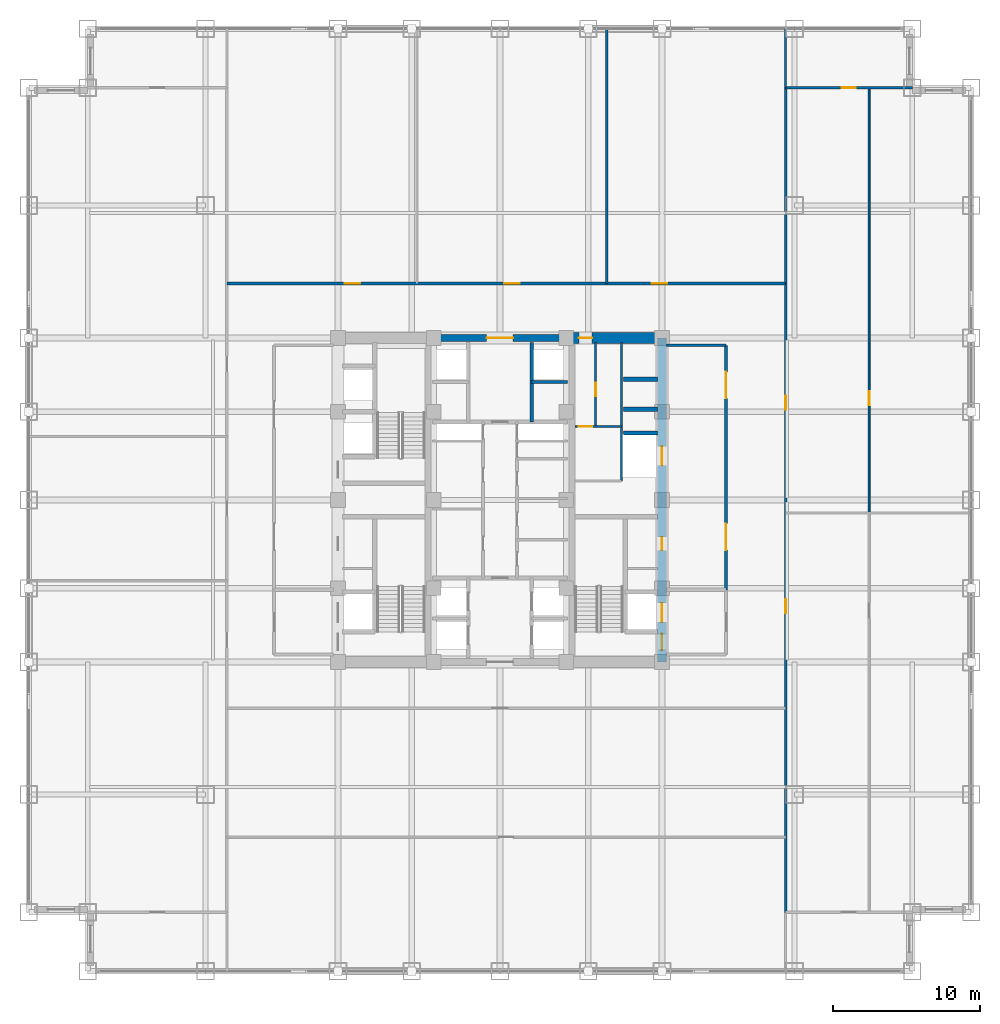
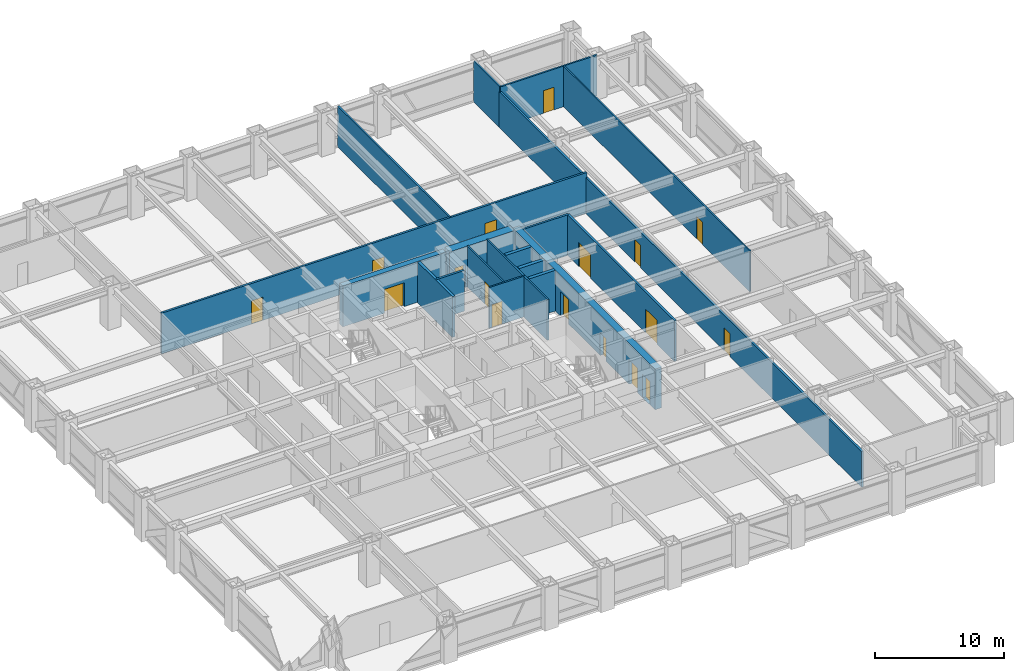
# One storey, part 26 of 28: 19 walls, 17 doors, 17 openings.
"""IFC4 building model written with IfcOpenShell, lengths in metres."""

import ifcopenshell
import ifcopenshell.guid

model = None  # the IFC model being written
_history = None  # IfcOwnerHistory: only IFC2X3 demands one
_inside = {}  # id of a spatial element -> (the spatial element, [elements in it])
_under = {}  # id of a project, library or spatial element -> (it, [spatial elements below it])
_declared = {}  # id of a project -> (the project, [libraries it declares])
_typed = {}  # id of a type object -> (the type object, [elements of that type])
_made_of = {}  # id of a material, layer set ... -> (it, [elements and type objects made of it])


def new_model(schema):
    """Start an empty IFC model of exactly this schema.

    Asked for "IFC4X3", IfcOpenShell would pick the latest addendum, in which some entities
    have other attributes; the version numbers below select the first issue.
    IFC2X3 requires an IfcOwnerHistory on every rooted entity: one is made here for all.
    """
    global model, _history
    if schema == "IFC4X3":
        model = ifcopenshell.file(schema_version=(4, 3, 0, 0))
    else:
        model = ifcopenshell.file(schema=schema)
    _inside.clear()
    _under.clear()
    _declared.clear()
    _typed.clear()
    _made_of.clear()
    _history = None
    if model.schema == "IFC2X3":
        org = make("IfcOrganization", Name="unknown")
        user = make(
            "IfcPersonAndOrganization",
            ThePerson=make("IfcPerson", FamilyName="unknown"),
            TheOrganization=org,
        )
        app = make(
            "IfcApplication",
            ApplicationDeveloper=org,
            Version="unknown",
            ApplicationFullName="unknown",
            ApplicationIdentifier="unknown",
        )
        _history = make(
            "IfcOwnerHistory",
            OwningUser=user,
            OwningApplication=app,
            ChangeAction="ADDED",
            CreationDate=0,
        )
    return model


def make(cls, **values):
    """One entity of the class cls with the attributes given. An attribute that is None is left unset."""
    return model.create_entity(
        cls, **{name: value for name, value in values.items() if value is not None}
    )


def rooted(cls, **values):
    """An entity with a GlobalId (a new one), such as an element, a storey or a relation."""
    return make(cls, GlobalId=ifcopenshell.guid.new(), OwnerHistory=_history, **values)


def si_unit(unit_type, name, prefix=None):
    """IfcSIUnit, for example si_unit("LENGTHUNIT", "METRE", prefix="MILLI")."""
    return make("IfcSIUnit", UnitType=unit_type, Prefix=prefix, Name=name)


def assignment(units):
    """IfcUnitAssignment: the units of a project."""
    return None if units is None else make("IfcUnitAssignment", Units=units)


def point(xyz):
    """IfcCartesianPoint."""
    return None if xyz is None else make("IfcCartesianPoint", Coordinates=xyz)


def direction(xyz):
    """IfcDirection."""
    return None if xyz is None else make("IfcDirection", DirectionRatios=xyz)


def frame(location, z_axis=None, x_axis=None):
    """IfcAxis2Placement3D, a coordinate frame: its origin and axes. An axis left out is left unset."""
    return make(
        "IfcAxis2Placement3D",
        Location=point(location),
        Axis=direction(z_axis),
        RefDirection=direction(x_axis),
    )


def frame_2d(location, x_axis=None):
    """IfcAxis2Placement2D, a coordinate frame in the plane: its origin and x axis."""
    return make(
        "IfcAxis2Placement2D", Location=point(location), RefDirection=direction(x_axis)
    )


def origin():
    """The frame at (0, 0, 0) with its axes left unset."""
    return frame((0.0, 0.0, 0.0))


def place(relative_to, where):
    """IfcLocalPlacement: puts the frame where relative to a parent placement (None: the world)."""
    return make(
        "IfcLocalPlacement", PlacementRelTo=relative_to, RelativePlacement=where
    )


def context(
    kind, dimensions, precision=None, world=None, true_north=None, identifier=None
):
    """IfcGeometricRepresentationContext, for example the 3D "Model" context."""
    return make(
        "IfcGeometricRepresentationContext",
        ContextIdentifier=identifier,
        ContextType=kind,
        CoordinateSpaceDimension=dimensions,
        Precision=precision,
        WorldCoordinateSystem=world,
        TrueNorth=true_north,
    )


def subcontext(parent, identifier, kind, view, scale=None):
    """IfcGeometricRepresentationSubContext, for example "Body" below "Model"."""
    return make(
        "IfcGeometricRepresentationSubContext",
        ContextIdentifier=identifier,
        ContextType=kind,
        ParentContext=parent,
        TargetScale=scale,
        TargetView=view,
    )


def project(units=None, contexts=None):
    """IfcProject with its units and contexts."""
    return rooted(
        "IfcProject",
        Name="project",
        RepresentationContexts=contexts,
        UnitsInContext=assignment(units),
    )


def spatial(cls, under=None, at=None, **own):
    """A site, building, storey or space (cls), placed at a placement, below another one or the project."""
    s = rooted(cls, ObjectPlacement=at, **own)
    if under is not None:
        _under.setdefault(under.id(), (under, []))[1].append(s)
    return s


def profile(cls, at=None, kind="AREA", **sizes):
    """A parametric profile (cls). Its sizes go by their IFC names, for example OverallWidth=200.0."""
    return make(cls, ProfileType=kind, Position=at, **sizes)


def rectangle(**sizes):
    """IfcRectangleProfileDef."""
    return profile("IfcRectangleProfileDef", **sizes)


def extrude(swept, where, along, depth):
    """IfcExtrudedAreaSolid: the profile swept, set in the frame where, extruded along a direction by depth."""
    return make(
        "IfcExtrudedAreaSolid",
        SweptArea=swept,
        Position=where,
        ExtrudedDirection=direction(along),
        Depth=depth,
    )


def shape(context_of_items, identifier, shape_type, items):
    """IfcShapeRepresentation: the items that make up one representation, for example the "Body"."""
    return make(
        "IfcShapeRepresentation",
        ContextOfItems=context_of_items,
        RepresentationIdentifier=identifier,
        RepresentationType=shape_type,
        Items=items,
    )


def source(mapping_origin, context_of_items, identifier, shape_type, items):
    """IfcRepresentationMap: a shape defined once, which mapped items show again and again."""
    return make(
        "IfcRepresentationMap",
        MappingOrigin=mapping_origin,
        MappedRepresentation=shape(context_of_items, identifier, shape_type, items),
    )


def transform(
    local_origin,
    x_axis=None,
    y_axis=None,
    z_axis=None,
    scale=None,
    scale2=None,
    scale3=None,
    uniform=True,
):
    """IfcCartesianTransformationOperator3D, or its non-uniform kind. x_axis, y_axis, z_axis: its Axis1, 2, 3."""
    if uniform:
        return make(
            "IfcCartesianTransformationOperator3D",
            Axis1=direction(x_axis),
            Axis2=direction(y_axis),
            LocalOrigin=point(local_origin),
            Scale=scale,
            Axis3=direction(z_axis),
        )
    return make(
        "IfcCartesianTransformationOperator3DnonUniform",
        Axis1=direction(x_axis),
        Axis2=direction(y_axis),
        LocalOrigin=point(local_origin),
        Scale=scale,
        Axis3=direction(z_axis),
        Scale2=scale2,
        Scale3=scale3,
    )


def mapped(mapping_source, mapping_target):
    """IfcMappedItem: shows the shape of a source again, moved by a transform."""
    return make(
        "IfcMappedItem", MappingSource=mapping_source, MappingTarget=mapping_target
    )


def material(Name=None, Category=None):
    """IfcMaterial."""
    return make("IfcMaterial", Name=Name, Category=Category)


def layer(
    of_material, thickness, ventilated=None, Name=None, Category=None, Priority=None
):
    """IfcMaterialLayer: one layer of a wall or slab, of a material (None: an air gap)."""
    return make(
        "IfcMaterialLayer",
        Material=of_material,
        LayerThickness=thickness,
        IsVentilated=ventilated,
        Name=Name,
        Category=Category,
        Priority=Priority,
    )


def layer_set(layers, Name=None):
    """IfcMaterialLayerSet."""
    return make("IfcMaterialLayerSet", MaterialLayers=layers, LayerSetName=Name)


def made_of(thing, what):
    """Note that an element or type object is made of a material, layer set ...; save() writes the relation."""
    if what is not None:
        _made_of.setdefault(what.id(), (what, []))[1].append(thing)
    return thing


def type_object(cls, material=None, **own):
    """A type object (cls), such as IfcWallType, which elements share."""
    return made_of(rooted(cls, **own), material)


def element(
    cls,
    number,
    at=None,
    inside=None,
    cuts=None,
    type_object=None,
    material=None,
    context=None,
    identifier="Body",
    shape_type=None,
    held_by="IfcProductDefinitionShape",
    body=None,
    shapes=None,
    **own,
):
    """One element of the class cls, such as IfcWall. Its Tag is "e" and its number.

    at: its placement. inside: the storey or other place that contains it. cuts: it is an
    opening in that element (IfcRelVoidsElement). A single representation is given by context,
    identifier, shape_type and body (its items); several are given by shapes. held_by: the class
    of the entity that holds the representations. save() writes the other relations.
    """
    e = rooted(cls, Tag="e%d" % number, ObjectPlacement=at, **own)
    if body is not None:
        shapes = [shape(context, identifier, shape_type, body)]
    if shapes is not None:
        e.Representation = make(held_by, Representations=shapes)
    if inside is not None:
        _inside.setdefault(inside.id(), (inside, []))[1].append(e)
    if cuts is not None:
        rooted(
            "IfcRelVoidsElement", RelatingBuildingElement=cuts, RelatedOpeningElement=e
        )
    if type_object is not None:
        _typed.setdefault(type_object.id(), (type_object, []))[1].append(e)
    return made_of(e, material)


def fill(opening, filler):
    """IfcRelFillsElement: the door or window that sits in an opening."""
    return rooted(
        "IfcRelFillsElement",
        RelatingOpeningElement=opening,
        RelatedBuildingElement=filler,
    )


def aggregate(whole, parts):
    """IfcRelAggregates: a whole, such as a stair, and the parts it consists of."""
    return rooted("IfcRelAggregates", RelatingObject=whole, RelatedObjects=parts)


def save(model, path):
    """Write the relations noted so far, then the file.

    IfcRelAggregates (storeys below a building ...), IfcRelContainedInSpatialStructure (elements
    in a storey), IfcRelDefinesByType, IfcRelAssociatesMaterial and IfcRelDeclares: one each for
    every whole, place, type object, material and project.
    """
    for whole, parts in _under.values():
        aggregate(whole, parts)
    for where, things in _inside.values():
        rooted(
            "IfcRelContainedInSpatialStructure",
            RelatedElements=things,
            RelatingStructure=where,
        )
    for kind, things in _typed.values():
        rooted("IfcRelDefinesByType", RelatedObjects=things, RelatingType=kind)
    for what, things in _made_of.values():
        rooted("IfcRelAssociatesMaterial", RelatedObjects=things, RelatingMaterial=what)
    for by, libraries in _declared.values():
        rooted("IfcRelDeclares", RelatingContext=by, RelatedDefinitions=libraries)
    model.write(path)


model = new_model("IFC4")

# Units and contexts
model_context = context("Model", 3, precision=1e-05, world=origin(), true_north=direction((0.0, 1.0)))
body_context = subcontext(model_context, "Body", "Model", "MODEL_VIEW")
ifc_project = project(units=[si_unit("LENGTHUNIT", "METRE"), si_unit("AREAUNIT", "SQUARE_METRE"), si_unit("VOLUMEUNIT", "CUBIC_METRE"), si_unit("PLANEANGLEUNIT", "RADIAN"), si_unit("MASSUNIT", "GRAM", prefix="KILO")], contexts=[model_context])

# Site, building, storey
site_placement = place(None, origin())
site = spatial("IfcSite", under=ifc_project, at=site_placement, CompositionType="ELEMENT")
building_placement = place(site_placement, origin())
building = spatial("IfcBuilding", under=site, at=building_placement, Name="Khorayat Bourse Tower", CompositionType="ELEMENT")
storey_placement = place(building_placement, frame((0.0, 0.0, 124.199951171875)))
storey = spatial("IfcBuildingStorey", under=building, at=storey_placement, Name="L28", CompositionType="ELEMENT", Elevation=124.199951171875)

# Wall, openings, doors
ifc_material_1 = material(Name="Concrete C60/75", Category="concrete")
ifc_layer_1 = layer(ifc_material_1, 0.60009765625)
ifc_layer_set_1 = layer_set([ifc_layer_1], Name="Concrete C60/75")
wall_type_1 = type_object("IfcWallType", Name="WAL-CORE-600", PredefinedType="SHEAR", material=ifc_layer_set_1)
shared_shape_1 = source(origin(), body_context, "Body", "SweptSolid", [
    extrude(rectangle(XDim=22.0, YDim=0.60009765625, at=frame_2d((11.0, 0.0))), origin(), (0.0, 0.0, 1.0), 3.840087890625),
])
wall_1_placement = place(storey_placement, frame((11.0, -11.0, 0.0), z_axis=(0.0, 0.0, 1.0), x_axis=(0.0, 1.0, 0.0)))
wall_1 = element("IfcWall", 1, at=wall_1_placement, inside=storey, type_object=wall_type_1, Name="L28 Core Shear Wall CORE-E", PredefinedType="SHEAR", context=body_context, shape_type="MappedRepresentation", body=[
    mapped(shared_shape_1, transform((0.0, 0.0, 0.0), scale=1.0)),
])
shared_shape_2 = source(origin(), body_context, "Body", "SweptSolid", [
    extrude(rectangle(XDim=1.10009765625, YDim=2.199951171875, at=frame_2d((0.550048828125, 1.10009765625))), frame((0.0, 0.31005859375, 0.0), z_axis=(0.0, -1.0, 0.0), x_axis=(1.0, 0.0, 0.0)), (0.0, 0.0, 1.0), 0.6201171875),
])
opening_1_placement = place(wall_1_placement, frame((0.800048828125, 0.0, 0.0)))
opening_1 = element("IfcOpeningElement", 2, at=opening_1_placement, cuts=wall_1, Name="Opening DI-01", PredefinedType="OPENING", context=body_context, shape_type="MappedRepresentation", body=[
    mapped(shared_shape_2, transform((0.0, 0.0, 0.0), scale=1.0)),
])
shared_shape_3 = source(origin(), body_context, "Body", "SweptSolid", [
    extrude(rectangle(XDim=0.89990234375, YDim=2.14990234375, at=frame_2d((0.449951171875, 1.074951171875))), frame((0.0, 0.31005859375, 0.0), z_axis=(0.0, -1.0, 0.0), x_axis=(1.0, 0.0, 0.0)), (0.0, 0.0, 1.0), 0.6201171875),
])
opening_2_placement = place(wall_1_placement, frame((7.574951171875, 0.0, 0.0)))
opening_2 = element("IfcOpeningElement", 3, at=opening_2_placement, cuts=wall_1, Name="Opening DI-06", PredefinedType="OPENING", context=body_context, shape_type="MappedRepresentation", body=[
    mapped(shared_shape_3, transform((0.0, 0.0, 0.0), scale=1.0)),
])
shared_shape_4 = source(origin(), body_context, "Body", "SweptSolid", [
    extrude(rectangle(XDim=1.300048828125, YDim=2.300048828125, at=frame_2d((0.64990234375, 1.14990234375))), frame((0.0, 0.31005859375, 0.0), z_axis=(0.0, -1.0, 0.0), x_axis=(1.0, 0.0, 0.0)), (0.0, 0.0, 1.0), 0.6201171875),
])
opening_3_placement = place(wall_1_placement, frame((2.699951171875, 0.0, 0.0)))
opening_3 = element("IfcOpeningElement", 4, at=opening_3_placement, cuts=wall_1, Name="Opening LD-02", PredefinedType="OPENING", context=body_context, shape_type="MappedRepresentation", body=[
    mapped(shared_shape_4, transform((0.0, 0.0, 0.0), scale=1.0)),
])
opening_4_placement = place(wall_1_placement, frame((13.35009765625, 0.0, 0.0)))
opening_4 = element("IfcOpeningElement", 5, at=opening_4_placement, cuts=wall_1, Name="Opening LD-02", PredefinedType="OPENING", context=body_context, shape_type="MappedRepresentation", body=[
    mapped(shared_shape_4, transform((0.0, 0.0, 0.0), scale=1.0)),
])
ifc_material_2 = material(Name="Fire-rated steel acoustic leaf", Category="steel")
door_type_1 = type_object("IfcDoorType", Name="DR-INT-STAIR-1100", OperationType="NOTDEFINED", PredefinedType="DOOR", material=ifc_material_2)
shared_shape_5 = source(origin(), body_context, "Body", "SweptSolid", [
    extrude(rectangle(XDim=1.10009765625, YDim=2.199951171875, at=frame_2d((0.550048828125, 1.10009765625))), frame((0.0, 0.02490234375, 0.0), z_axis=(0.0, -1.0, 0.0), x_axis=(1.0, 0.0, 0.0)), (0.0, 0.0, 1.0), 0.050048828125),
])
door_1_placement = place(opening_1_placement, origin())
door_1 = element("IfcDoor", 6, at=door_1_placement, inside=storey, type_object=door_type_1, Name="L28 Exit Stair 3 Door", OperationType="SINGLE_SWING_LEFT", OverallHeight=2.199951171875, OverallWidth=1.10009765625, PredefinedType="DOOR", context=body_context, shape_type="MappedRepresentation", body=[
    mapped(shared_shape_5, transform((0.0, 0.0, 0.0), scale=1.0)),
])
fill(opening_1, door_1)
ifc_material_3 = material(Name="Moisture-resistant laminate washroom door")
door_type_2 = type_object("IfcDoorType", Name="DR-INT-WC-900", OperationType="NOTDEFINED", PredefinedType="DOOR", material=ifc_material_3)
shared_shape_6 = source(origin(), body_context, "Body", "SweptSolid", [
    extrude(rectangle(XDim=0.89990234375, YDim=2.14990234375, at=frame_2d((0.449951171875, 1.074951171875))), frame((0.0, 0.02490234375, 0.0), z_axis=(0.0, -1.0, 0.0), x_axis=(1.0, 0.0, 0.0)), (0.0, 0.0, 1.0), 0.050048828125),
])
door_2_placement = place(opening_2_placement, origin())
door_2 = element("IfcDoor", 7, at=door_2_placement, inside=storey, type_object=door_type_2, Name="L28 Fiber Server Plant Room Door", OperationType="SINGLE_SWING_LEFT", OverallHeight=2.14990234375, OverallWidth=0.89990234375, PredefinedType="DOOR", context=body_context, shape_type="MappedRepresentation", body=[
    mapped(shared_shape_6, transform((0.0, 0.0, 0.0), scale=1.0)),
])
fill(opening_2, door_2)
ifc_material_4 = material(Name="Fire-rated stainless-steel sliding landing door", Category="steel")
door_type_3 = type_object("IfcDoorType", Name="DR-LIFT-FF-1300", OperationType="NOTDEFINED", PredefinedType="DOOR", material=ifc_material_4)
shared_shape_7 = source(origin(), body_context, "Body", "SweptSolid", [
    extrude(rectangle(XDim=1.300048828125, YDim=2.300048828125, at=frame_2d((0.64990234375, 1.14990234375))), frame((0.0, 0.02490234375, 0.0), z_axis=(0.0, -1.0, 0.0), x_axis=(1.0, 0.0, 0.0)), (0.0, 0.0, 1.0), 0.050048828125),
])
door_3_placement = place(opening_3_placement, origin())
door_3 = element("IfcDoor", 8, at=door_3_placement, inside=storey, type_object=door_type_3, Name="L28 Lift FFL-02 Sliding Landing Door", OperationType="SLIDING_TO_LEFT", OverallHeight=2.300048828125, OverallWidth=1.300048828125, PredefinedType="DOOR", context=body_context, shape_type="MappedRepresentation", body=[
    mapped(shared_shape_7, transform((0.0, 0.0, 0.0), scale=1.0)),
])
fill(opening_3, door_3)
door_4_placement = place(opening_4_placement, origin())
door_4 = element("IfcDoor", 9, at=door_4_placement, inside=storey, type_object=door_type_3, Name="L28 Lift SVL-01 Sliding Landing Door", OperationType="SLIDING_TO_LEFT", OverallHeight=2.300048828125, OverallWidth=1.300048828125, PredefinedType="DOOR", context=body_context, shape_type="MappedRepresentation", body=[
    mapped(shared_shape_7, transform((0.0, 0.0, 0.0), scale=1.0)),
])
fill(opening_4, door_4)

# Wall, opening, door
ifc_material_5 = material(Name="Concrete C72/90", Category="concrete")
ifc_layer_2 = layer(ifc_material_5, 0.75)
ifc_layer_set_2 = layer_set([ifc_layer_2], Name="Concrete C72/90")
wall_type_2 = type_object("IfcWallType", Name="WAL-CORE-750", PredefinedType="SHEAR", material=ifc_layer_set_2)
shared_shape_8 = source(origin(), body_context, "Body", "SweptSolid", [
    extrude(rectangle(XDim=5.849853515625, YDim=0.75, at=frame_2d((2.9248046875, 0.0))), origin(), (0.0, 0.0, 1.0), 3.840087890625),
])
wall_2_placement = place(storey_placement, frame((4.85009765625, 11.0, 0.0), z_axis=(0.0, 0.0, 1.0), x_axis=(1.0, 0.0, 0.0)))
wall_2 = element("IfcWall", 10, at=wall_2_placement, inside=storey, type_object=wall_type_2, Name="L28 Core Shear Wall PIER-EN", PredefinedType="SHEAR", context=body_context, shape_type="MappedRepresentation", body=[
    mapped(shared_shape_8, transform((0.0, 0.0, 0.0), scale=1.0)),
])
shared_shape_9 = source(origin(), body_context, "Body", "SweptSolid", [
    extrude(rectangle(XDim=0.89990234375, YDim=2.14990234375, at=frame_2d((0.449951171875, 1.074951171875))), frame((0.0, 0.385009765625, 0.0), z_axis=(0.0, -1.0, 0.0), x_axis=(1.0, 0.0, 0.0)), (0.0, 0.0, 1.0), 0.77001953125),
])
opening_5_placement = place(wall_2_placement, frame((0.5, 0.0, 0.0)))
opening_5 = element("IfcOpeningElement", 11, at=opening_5_placement, cuts=wall_2, Name="Opening DI-06", PredefinedType="OPENING", context=body_context, shape_type="MappedRepresentation", body=[
    mapped(shared_shape_9, transform((0.0, 0.0, 0.0), scale=1.0)),
])
door_5_placement = place(opening_5_placement, origin())
door_5 = element("IfcDoor", 12, at=door_5_placement, inside=storey, type_object=door_type_2, Name="L28 Core Washroom Lobby Door", OperationType="SINGLE_SWING_LEFT", OverallHeight=2.14990234375, OverallWidth=0.89990234375, PredefinedType="DOOR", context=body_context, shape_type="MappedRepresentation", body=[
    mapped(shared_shape_6, transform((0.0, 0.0, 0.0), scale=1.0)),
])
fill(opening_5, door_5)

ifc_material_6 = material(Name="Concrete C52/65", Category="concrete")
ifc_layer_3 = layer(ifc_material_6, 0.5)
ifc_layer_set_3 = layer_set([ifc_layer_3], Name="Concrete C52/65")
wall_type_3 = type_object("IfcWallType", Name="WAL-CORE-500", PredefinedType="SHEAR", material=ifc_layer_set_3)
shared_shape_10 = source(origin(), body_context, "Body", "SweptSolid", [
    extrude(rectangle(XDim=9.2001953125, YDim=0.5, at=frame_2d((4.60009765625, 0.0))), origin(), (0.0, 0.0, 1.0), 3.840087890625),
])
wall_3_placement = place(storey_placement, frame((-4.60009765625, 11.0, 0.0), z_axis=(0.0, 0.0, 1.0), x_axis=(1.0, 0.0, 0.0)))
wall_3 = element("IfcWall", 13, at=wall_3_placement, inside=storey, type_object=wall_type_3, Name="L28 Core Shear Wall CORE-N", PredefinedType="SHEAR", context=body_context, shape_type="MappedRepresentation", body=[
    mapped(shared_shape_10, transform((0.0, 0.0, 0.0), scale=1.0)),
])
shared_shape_11 = source(origin(), body_context, "Body", "SweptSolid", [
    extrude(rectangle(XDim=1.800048828125, YDim=2.25, at=frame_2d((0.89990234375, 1.125))), frame((0.0, 0.260009765625, 0.0), z_axis=(0.0, -1.0, 0.0), x_axis=(1.0, 0.0, 0.0)), (0.0, 0.0, 1.0), 0.52001953125),
])
opening_6_placement = place(wall_3_placement, frame((3.699951171875, 0.0, 0.0)))
opening_6 = element("IfcOpeningElement", 14, at=opening_6_placement, cuts=wall_3, Name="Opening DI-03", PredefinedType="OPENING", context=body_context, shape_type="MappedRepresentation", body=[
    mapped(shared_shape_11, transform((0.0, 0.0, 0.0), scale=1.0)),
])
ifc_material_7 = material(Name="Fire-rated hardwood vision-panel double leaf", Category="wood")
door_type_4 = type_object("IfcDoorType", Name="DR-INT-CORR-1800", OperationType="NOTDEFINED", PredefinedType="DOOR", material=ifc_material_7)
shared_shape_12 = source(origin(), body_context, "Body", "SweptSolid", [
    extrude(rectangle(XDim=1.800048828125, YDim=2.25, at=frame_2d((0.89990234375, 1.125))), frame((0.0, 0.02490234375, 0.0), z_axis=(0.0, -1.0, 0.0), x_axis=(1.0, 0.0, 0.0)), (0.0, 0.0, 1.0), 0.050048828125),
])
door_6_placement = place(opening_6_placement, origin())
door_6 = element("IfcDoor", 15, at=door_6_placement, inside=storey, type_object=door_type_4, Name="L28 Mid-Rise Lift Lobby Door", OperationType="SINGLE_SWING_RIGHT", OverallHeight=2.25, OverallWidth=1.800048828125, PredefinedType="DOOR", context=body_context, shape_type="MappedRepresentation", body=[
    mapped(shared_shape_12, transform((0.0, 0.0, 0.0), scale=1.0)),
])
fill(opening_6, door_6)

# Walls
ifc_material_8 = material(Name="Concrete C50/60", Category="concrete")
ifc_layer_4 = layer(ifc_material_8, 0.300048828125)
ifc_layer_set_4 = layer_set([ifc_layer_4], Name="Concrete C50/60")
wall_type_4 = type_object("IfcWallType", Name="WAL-SHAFT-300", PredefinedType="SHEAR", material=ifc_layer_set_4)
shared_shape_13 = source(origin(), body_context, "Body", "SweptSolid", [
    extrude(rectangle(XDim=2.300048828125, YDim=0.300048828125, at=frame_2d((1.14990234375, 0.0))), origin(), (0.0, 0.0, 1.0), 3.840087890625),
])
for number, where, z_axis, x_axis, name in (
    (16, (8.39990234375, 4.550048828125, 0.0), (0.0, 0.0, 1.0), (1.0, 0.0, 0.0), "L28 Partition WAL-L28-EPIER-SVLN"),
    (17, (8.39990234375, 6.14990234375, 0.0), (0.0, 0.0, 1.0), (1.0, 0.0, 0.0), "L28 Partition WAL-L28-EPIER-H3S"),
    (18, (8.39990234375, 8.199951171875, 0.0), (0.0, 0.0, 1.0), (1.0, 0.0, 0.0), "L28 Partition WAL-L28-EPIER-H34"),
):
    element("IfcWall", number, at=place(storey_placement, frame(where, z_axis=z_axis, x_axis=x_axis)), inside=storey, type_object=wall_type_4, Name=name, PredefinedType="SHEAR", context=body_context, shape_type="MappedRepresentation", body=[
        mapped(shared_shape_13, transform((0.0, 0.0, 0.0), scale=1.0)),
    ])
ifc_material_9 = material(Name="Moisture-resistant masonry partition", Category="masonry")
ifc_layer_5 = layer(ifc_material_9, 0.139892578125)
ifc_layer_set_5 = layer_set([ifc_layer_5], Name="Moisture-resistant masonry partition")
wall_type_5 = type_object("IfcWallType", Name="WAL-PART-WET-140", PredefinedType="PARTITIONING", material=ifc_layer_set_5)
shared_shape_14 = source(origin(), body_context, "Body", "SweptSolid", [
    extrude(rectangle(XDim=9.39990234375, YDim=0.139892578125, at=frame_2d((4.699951171875, 0.0))), origin(), (0.0, 0.0, 1.0), 3.840087890625),
])
wall_4_placement = place(storey_placement, frame((8.25, 1.300048828125, 0.0), z_axis=(0.0, 0.0, 1.0), x_axis=(0.0, 1.0, 0.0)))
element("IfcWall", 19, at=wall_4_placement, inside=storey, type_object=wall_type_5, Name="L28 Partition WAL-L28-ECORE-E", PredefinedType="PARTITIONING", context=body_context, shape_type="MappedRepresentation", body=[
    mapped(shared_shape_14, transform((0.0, 0.0, 0.0), scale=1.0)),
])

# Wall, opening, door
shared_shape_15 = source(origin(), body_context, "Body", "SweptSolid", [
    extrude(rectangle(XDim=3.14990234375, YDim=0.139892578125, at=frame_2d((1.574951171875, 0.0))), origin(), (0.0, 0.0, 1.0), 3.840087890625),
])
wall_5_placement = place(storey_placement, frame((5.10009765625, 5.0, 0.0), z_axis=(0.0, 0.0, 1.0), x_axis=(1.0, 0.0, 0.0)))
wall_5 = element("IfcWall", 20, at=wall_5_placement, inside=storey, type_object=wall_type_5, Name="L28 Partition WAL-L28-ECW-BOT", PredefinedType="PARTITIONING", context=body_context, shape_type="MappedRepresentation", body=[
    mapped(shared_shape_15, transform((0.0, 0.0, 0.0), scale=1.0)),
])
shared_shape_16 = source(origin(), body_context, "Body", "SweptSolid", [
    extrude(rectangle(XDim=0.89990234375, YDim=2.14990234375, at=frame_2d((0.449951171875, 1.074951171875))), frame((0.0, 0.079833984375, 0.0), z_axis=(0.0, -1.0, 0.0), x_axis=(1.0, 0.0, 0.0)), (0.0, 0.0, 1.0), 0.159912109375),
])
opening_7_placement = place(wall_5_placement, frame((0.25, 0.0, 0.0)))
opening_7 = element("IfcOpeningElement", 21, at=opening_7_placement, cuts=wall_5, Name="Opening DI-06", PredefinedType="OPENING", context=body_context, shape_type="MappedRepresentation", body=[
    mapped(shared_shape_16, transform((0.0, 0.0, 0.0), scale=1.0)),
])
door_7_placement = place(opening_7_placement, origin())
door_7 = element("IfcDoor", 22, at=door_7_placement, inside=storey, type_object=door_type_2, Name="L28 Shared Washroom Door", OperationType="SINGLE_SWING_LEFT", OverallHeight=2.14990234375, OverallWidth=0.89990234375, PredefinedType="DOOR", context=body_context, shape_type="MappedRepresentation", body=[
    mapped(shared_shape_6, transform((0.0, 0.0, 0.0), scale=1.0)),
])
fill(opening_7, door_7)

# Wall
ifc_material_10 = material(Name="Gypsum plasterboard acoustic stud wall")
ifc_layer_6 = layer(ifc_material_10, 0.179931640625)
ifc_layer_set_6 = layer_set([ifc_layer_6], Name="Gypsum plasterboard acoustic stud wall")
wall_type_6 = type_object("IfcWallType", Name="WAL-PART-CORR-180", PredefinedType="PARTITIONING", material=ifc_layer_set_6)
shared_shape_17 = source(origin(), body_context, "Body", "SweptSolid", [
    extrude(rectangle(XDim=4.050048828125, YDim=0.179931640625, at=frame_2d((2.02490234375, 0.0))), origin(), (0.0, 0.0, 1.0), 3.840087890625),
])
wall_6_placement = place(storey_placement, frame((11.300048828125, 10.5, 0.0), z_axis=(0.0, 0.0, 1.0), x_axis=(1.0, 0.0, 0.0)))
element("IfcWall", 23, at=wall_6_placement, inside=storey, type_object=wall_type_6, Name="L28 Partition WAL-L28-ELOB-N", PredefinedType="PARTITIONING", context=body_context, shape_type="MappedRepresentation", body=[
    mapped(shared_shape_17, transform((0.0, 0.0, 0.0), scale=1.0)),
])

# Wall, openings, doors
shared_shape_18 = source(origin(), body_context, "Body", "SweptSolid", [
    extrude(rectangle(XDim=16.60009765625, YDim=0.179931640625, at=frame_2d((8.300048828125, 0.0))), origin(), (0.0, 0.0, 1.0), 3.840087890625),
])
wall_7_placement = place(storey_placement, frame((15.35009765625, -6.10009765625, 0.0), z_axis=(0.0, 0.0, 1.0), x_axis=(0.0, 1.0, 0.0)))
wall_7 = element("IfcWall", 24, at=wall_7_placement, inside=storey, type_object=wall_type_6, Name="L28 Partition WAL-L28-ELOB-E", PredefinedType="PARTITIONING", context=body_context, shape_type="MappedRepresentation", body=[
    mapped(shared_shape_18, transform((0.0, 0.0, 0.0), scale=1.0)),
])
shared_shape_19 = source(origin(), body_context, "Body", "SweptSolid", [
    extrude(rectangle(XDim=1.800048828125, YDim=2.25, at=frame_2d((0.89990234375, 1.125))), frame((0.0, 0.099853515625, 0.0), z_axis=(0.0, -1.0, 0.0), x_axis=(1.0, 0.0, 0.0)), (0.0, 0.0, 1.0), 0.199951171875),
])
opening_8_placement = place(wall_7_placement, frame((2.699951171875, 0.0, 0.0)))
opening_8 = element("IfcOpeningElement", 25, at=opening_8_placement, cuts=wall_7, Name="Opening DI-03", PredefinedType="OPENING", context=body_context, shape_type="MappedRepresentation", body=[
    mapped(shared_shape_19, transform((0.0, 0.0, 0.0), scale=1.0)),
])
opening_9_placement = place(wall_7_placement, frame((13.0, 0.0, 0.0)))
opening_9 = element("IfcOpeningElement", 26, at=opening_9_placement, cuts=wall_7, Name="Opening DI-03", PredefinedType="OPENING", context=body_context, shape_type="MappedRepresentation", body=[
    mapped(shared_shape_19, transform((0.0, 0.0, 0.0), scale=1.0)),
])
door_8_placement = place(opening_8_placement, origin())
door_8 = element("IfcDoor", 27, at=door_8_placement, inside=storey, type_object=door_type_4, Name="L28 East Core Lobby South Door", OperationType="SINGLE_SWING_RIGHT", OverallHeight=2.25, OverallWidth=1.800048828125, PredefinedType="DOOR", context=body_context, shape_type="MappedRepresentation", body=[
    mapped(shared_shape_12, transform((0.0, 0.0, 0.0), scale=1.0)),
])
fill(opening_8, door_8)
door_9_placement = place(opening_9_placement, origin())
door_9 = element("IfcDoor", 28, at=door_9_placement, inside=storey, type_object=door_type_4, Name="L28 East Core Lobby North Door", OperationType="SINGLE_SWING_LEFT", OverallHeight=2.25, OverallWidth=1.800048828125, PredefinedType="DOOR", context=body_context, shape_type="MappedRepresentation", body=[
    mapped(shared_shape_12, transform((0.0, 0.0, 0.0), scale=1.0)),
])
fill(opening_9, door_9)

# Walls
shared_shape_20 = source(origin(), body_context, "Body", "SweptSolid", [
    extrude(rectangle(XDim=5.39990234375, YDim=0.25, at=frame_2d((2.699951171875, 0.0))), origin(), (0.0, 0.0, 1.0), 3.840087890625),
])
wall_8_placement = place(storey_placement, frame((2.14990234375, 5.300048828125, 0.0), z_axis=(0.0, 0.0, 1.0), x_axis=(0.0, 1.0, 0.0)))
element("IfcWall", 29, at=wall_8_placement, inside=storey, type_object=wall_type_4, Name="L28 Partition WAL-L28-B2-E", PredefinedType="SHEAR", context=body_context, shape_type="MappedRepresentation", body=[
    mapped(shared_shape_20, transform((0.0, 0.0, 0.0), scale=1.0)),
])
shared_shape_21 = source(origin(), body_context, "Body", "SweptSolid", [
    extrude(rectangle(XDim=2.4501953125, YDim=0.199951171875, at=frame_2d((1.22509765625, 0.0))), origin(), (0.0, 0.0, 1.0), 3.840087890625),
])
wall_9_placement = place(storey_placement, frame((2.14990234375, 8.0, 0.0), z_axis=(0.0, 0.0, 1.0), x_axis=(1.0, 0.0, 0.0)))
element("IfcWall", 30, at=wall_9_placement, inside=storey, type_object=wall_type_4, Name="L28 Partition WAL-L28-B2-ME", PredefinedType="SHEAR", context=body_context, shape_type="MappedRepresentation", body=[
    mapped(shared_shape_21, transform((0.0, 0.0, 0.0), scale=1.0)),
])
ifc_material_11 = material(Name="Gypsum plasterboard twin-frame partition")
ifc_layer_7 = layer(ifc_material_11, 0.14990234375)
ifc_layer_set_7 = layer_set([ifc_layer_7], Name="Gypsum plasterboard twin-frame partition")
wall_type_7 = type_object("IfcWallType", Name="WAL-PART-SUITE-150", PredefinedType="PARTITIONING", material=ifc_layer_set_7)
shared_shape_22 = source(origin(), body_context, "Body", "SweptSolid", [
    extrude(rectangle(XDim=4.0, YDim=0.14990234375, at=frame_2d((2.0, 0.0))), origin(), (0.0, 0.0, 1.0), 3.840087890625),
])
wall_10_placement = place(storey_placement, frame((19.39990234375, 28.0, 0.0), z_axis=(0.0, 0.0, 1.0), x_axis=(0.0, 1.0, 0.0)))
element("IfcWall", 31, at=wall_10_placement, inside=storey, type_object=wall_type_7, Name="L28 Partition WAL-L28-NCE-END", PredefinedType="PARTITIONING", context=body_context, shape_type="MappedRepresentation", body=[
    mapped(shared_shape_22, transform((0.0, 0.0, 0.0), scale=1.0)),
])

# Wall, openings, doors
shared_shape_23 = source(origin(), body_context, "Body", "SweptSolid", [
    extrude(rectangle(XDim=56.0, YDim=0.179931640625, at=frame_2d((28.0, 0.0))), origin(), (0.0, 0.0, 1.0), 3.37109375),
])
wall_11_placement = place(storey_placement, frame((19.39990234375, -28.0, 0.0), z_axis=(0.0, 0.0, 1.0), x_axis=(0.0, 1.0, 0.0)))
wall_11 = element("IfcWall", 32, at=wall_11_placement, inside=storey, type_object=wall_type_6, Name="L28 Partition WAL-L28-ECORR", PredefinedType="PARTITIONING", context=body_context, shape_type="MappedRepresentation", body=[
    mapped(shared_shape_23, transform((0.0, 0.0, 0.0), scale=1.0)),
])
shared_shape_24 = source(origin(), body_context, "Body", "SweptSolid", [
    extrude(rectangle(XDim=0.949951171875, YDim=2.14990234375, at=frame_2d((0.47509765625, 1.074951171875))), frame((0.0, 0.099853515625, 0.0), z_axis=(0.0, -1.0, 0.0), x_axis=(1.0, 0.0, 0.0)), (0.0, 0.0, 1.0), 0.199951171875),
])
opening_10_placement = place(wall_11_placement, frame((20.310546875, 0.0, 0.0)))
opening_10 = element("IfcOpeningElement", 33, at=opening_10_placement, cuts=wall_11, Name="Opening DI-05", PredefinedType="OPENING", context=body_context, shape_type="MappedRepresentation", body=[
    mapped(shared_shape_24, transform((0.0, 0.0, 0.0), scale=1.0)),
])
opening_11_placement = place(wall_11_placement, frame((34.135498046875, 0.0, 0.0)))
opening_11 = element("IfcOpeningElement", 34, at=opening_11_placement, cuts=wall_11, Name="Opening DI-05", PredefinedType="OPENING", context=body_context, shape_type="MappedRepresentation", body=[
    mapped(shared_shape_24, transform((0.0, 0.0, 0.0), scale=1.0)),
])
ifc_material_12 = material(Name="Acoustic oak veneer office door")
door_type_5 = type_object("IfcDoorType", Name="DR-INT-OFFICE-950", OperationType="NOTDEFINED", PredefinedType="DOOR", material=ifc_material_12)
shared_shape_25 = source(origin(), body_context, "Body", "SweptSolid", [
    extrude(rectangle(XDim=0.949951171875, YDim=2.14990234375, at=frame_2d((0.47509765625, 1.074951171875))), frame((0.0, 0.02490234375, 0.0), z_axis=(0.0, -1.0, 0.0), x_axis=(1.0, 0.0, 0.0)), (0.0, 0.0, 1.0), 0.050048828125),
])
door_10_placement = place(opening_10_placement, origin())
door_10 = element("IfcDoor", 35, at=door_10_placement, inside=storey, type_object=door_type_5, Name="L28 Clearing Operations Office E1 Door", OperationType="SINGLE_SWING_RIGHT", OverallHeight=2.14990234375, OverallWidth=0.949951171875, PredefinedType="DOOR", context=body_context, shape_type="MappedRepresentation", body=[
    mapped(shared_shape_25, transform((0.0, 0.0, 0.0), scale=1.0)),
])
fill(opening_10, door_10)
door_11_placement = place(opening_11_placement, origin())
door_11 = element("IfcDoor", 36, at=door_11_placement, inside=storey, type_object=door_type_5, Name="L28 Members Exchange Lounge E2 Door", OperationType="SINGLE_SWING_LEFT", OverallHeight=2.14990234375, OverallWidth=0.949951171875, PredefinedType="DOOR", context=body_context, shape_type="MappedRepresentation", body=[
    mapped(shared_shape_25, transform((0.0, 0.0, 0.0), scale=1.0)),
])
fill(opening_11, door_11)

# Wall, opening, door
shared_shape_26 = source(origin(), body_context, "Body", "SweptSolid", [
    extrude(rectangle(XDim=8.60009765625, YDim=0.14990234375, at=frame_2d((4.300048828125, 0.0))), origin(), (0.0, 0.0, 1.0), 3.840087890625),
])
wall_12_placement = place(storey_placement, frame((19.39990234375, 28.0, 0.0), z_axis=(0.0, 0.0, 1.0), x_axis=(1.0, 0.0, 0.0)))
wall_12 = element("IfcWall", 37, at=wall_12_placement, inside=storey, type_object=wall_type_7, Name="L28 Partition WAL-L28-CNE", PredefinedType="PARTITIONING", context=body_context, shape_type="MappedRepresentation", body=[
    mapped(shared_shape_26, transform((0.0, 0.0, 0.0), scale=1.0)),
])
shared_shape_27 = source(origin(), body_context, "Body", "SweptSolid", [
    extrude(rectangle(XDim=0.949951171875, YDim=2.14990234375, at=frame_2d((0.47509765625, 1.074951171875))), frame((0.0, 0.0849609375, 0.0), z_axis=(0.0, -1.0, 0.0), x_axis=(1.0, 0.0, 0.0)), (0.0, 0.0, 1.0), 0.169921875),
])
opening_12_placement = place(wall_12_placement, frame((3.824951171875, 0.0, 0.0)))
opening_12 = element("IfcOpeningElement", 38, at=opening_12_placement, cuts=wall_12, Name="Opening DI-05", PredefinedType="OPENING", context=body_context, shape_type="MappedRepresentation", body=[
    mapped(shared_shape_27, transform((0.0, 0.0, 0.0), scale=1.0)),
])
door_12_placement = place(opening_12_placement, origin())
door_12 = element("IfcDoor", 39, at=door_12_placement, inside=storey, type_object=door_type_5, Name="L28 North-East Corner Lounge Door", OperationType="SINGLE_SWING_LEFT", OverallHeight=2.14990234375, OverallWidth=0.949951171875, PredefinedType="DOOR", context=body_context, shape_type="MappedRepresentation", body=[
    mapped(shared_shape_25, transform((0.0, 0.0, 0.0), scale=1.0)),
])
fill(opening_12, door_12)

shared_shape_28 = source(origin(), body_context, "Body", "SweptSolid", [
    extrude(rectangle(XDim=5.699951171875, YDim=0.139892578125, at=frame_2d((2.85009765625, 0.0))), origin(), (0.0, 0.0, 1.0), 3.840087890625),
])
wall_13_placement = place(storey_placement, frame((6.5, 5.0, 0.0), z_axis=(0.0, 0.0, 1.0), x_axis=(0.0, 1.0, 0.0)))
wall_13 = element("IfcWall", 40, at=wall_13_placement, inside=storey, type_object=wall_type_5, Name="L28 Partition WAL-L28-ECW-MID", PredefinedType="PARTITIONING", context=body_context, shape_type="MappedRepresentation", body=[
    mapped(shared_shape_28, transform((0.0, 0.0, 0.0), scale=1.0)),
])
opening_13_placement = place(wall_13_placement, frame((2.050048828125, 0.0, 0.0)))
opening_13 = element("IfcOpeningElement", 41, at=opening_13_placement, cuts=wall_13, Name="Opening DI-06", PredefinedType="OPENING", context=body_context, shape_type="MappedRepresentation", body=[
    mapped(shared_shape_16, transform((0.0, 0.0, 0.0), scale=1.0)),
])
door_13_placement = place(opening_13_placement, origin())
door_13 = element("IfcDoor", 42, at=door_13_placement, inside=storey, type_object=door_type_2, Name="L28 Accessible WC Door", OperationType="SINGLE_SWING_RIGHT", OverallHeight=2.14990234375, OverallWidth=0.89990234375, PredefinedType="DOOR", context=body_context, shape_type="MappedRepresentation", body=[
    mapped(shared_shape_6, transform((0.0, 0.0, 0.0), scale=1.0)),
])
fill(opening_13, door_13)

# Wall, openings, doors
shared_shape_29 = source(origin(), body_context, "Body", "SweptSolid", [
    extrude(rectangle(XDim=37.949951171875, YDim=0.179931640625, at=frame_2d((18.97509765625, 0.0))), origin(), (0.0, 0.0, 1.0), 3.840087890625),
])
wall_14_placement = place(storey_placement, frame((-18.550048828125, 14.699951171875, 0.0), z_axis=(0.0, 0.0, 1.0), x_axis=(1.0, 0.0, 0.0)))
wall_14 = element("IfcWall", 43, at=wall_14_placement, inside=storey, type_object=wall_type_6, Name="L28 Partition WAL-L28-NCORR", PredefinedType="PARTITIONING", context=body_context, shape_type="MappedRepresentation", body=[
    mapped(shared_shape_29, transform((0.0, 0.0, 0.0), scale=1.0)),
])
shared_shape_30 = source(origin(), body_context, "Body", "SweptSolid", [
    extrude(rectangle(XDim=1.050048828125, YDim=2.199951171875, at=frame_2d((0.52490234375, 1.10009765625))), frame((0.0, 0.099853515625, 0.0), z_axis=(0.0, -1.0, 0.0), x_axis=(1.0, 0.0, 0.0)), (0.0, 0.0, 1.0), 0.199951171875),
])
opening_14_placement = place(wall_14_placement, frame((8.00146484375, 0.0, 0.0)))
opening_14 = element("IfcOpeningElement", 44, at=opening_14_placement, cuts=wall_14, Name="Opening DI-04", PredefinedType="OPENING", context=body_context, shape_type="MappedRepresentation", body=[
    mapped(shared_shape_30, transform((0.0, 0.0, 0.0), scale=1.0)),
])
opening_15_placement = place(wall_14_placement, frame((18.82958984375, 0.0, 0.0)))
opening_15 = element("IfcOpeningElement", 45, at=opening_15_placement, cuts=wall_14, Name="Opening DI-04", PredefinedType="OPENING", context=body_context, shape_type="MappedRepresentation", body=[
    mapped(shared_shape_30, transform((0.0, 0.0, 0.0), scale=1.0)),
])
opening_16_placement = place(wall_14_placement, frame((28.85302734375, 0.0, 0.0)))
opening_16 = element("IfcOpeningElement", 46, at=opening_16_placement, cuts=wall_14, Name="Opening DI-04", PredefinedType="OPENING", context=body_context, shape_type="MappedRepresentation", body=[
    mapped(shared_shape_30, transform((0.0, 0.0, 0.0), scale=1.0)),
])
ifc_material_13 = material(Name="Fire-rated oak veneer suite entrance door")
door_type_6 = type_object("IfcDoorType", Name="DR-INT-SUITE-1050", OperationType="NOTDEFINED", PredefinedType="DOOR", material=ifc_material_13)
shared_shape_31 = source(origin(), body_context, "Body", "SweptSolid", [
    extrude(rectangle(XDim=1.050048828125, YDim=2.199951171875, at=frame_2d((0.52490234375, 1.10009765625))), frame((0.0, 0.02490234375, 0.0), z_axis=(0.0, -1.0, 0.0), x_axis=(1.0, 0.0, 0.0)), (0.0, 0.0, 1.0), 0.050048828125),
])
door_14_placement = place(opening_14_placement, origin())
door_14 = element("IfcDoor", 47, at=door_14_placement, inside=storey, type_object=door_type_6, Name="L28 Market Risk Analytics Workspace N1 Door", OperationType="SINGLE_SWING_RIGHT", OverallHeight=2.199951171875, OverallWidth=1.050048828125, PredefinedType="DOOR", context=body_context, shape_type="MappedRepresentation", body=[
    mapped(shared_shape_31, transform((0.0, 0.0, 0.0), scale=1.0)),
])
fill(opening_14, door_14)
door_15_placement = place(opening_15_placement, origin())
door_15 = element("IfcDoor", 48, at=door_15_placement, inside=storey, type_object=door_type_6, Name="L28 Equities Trading Desk N2 Door", OperationType="SINGLE_SWING_LEFT", OverallHeight=2.199951171875, OverallWidth=1.050048828125, PredefinedType="DOOR", context=body_context, shape_type="MappedRepresentation", body=[
    mapped(shared_shape_31, transform((0.0, 0.0, 0.0), scale=1.0)),
])
fill(opening_15, door_15)
door_16_placement = place(opening_16_placement, origin())
door_16 = element("IfcDoor", 49, at=door_16_placement, inside=storey, type_object=door_type_6, Name="L28 Quantitative Research Study N3 Door", OperationType="SINGLE_SWING_RIGHT", OverallHeight=2.199951171875, OverallWidth=1.050048828125, PredefinedType="DOOR", context=body_context, shape_type="MappedRepresentation", body=[
    mapped(shared_shape_31, transform((0.0, 0.0, 0.0), scale=1.0)),
])
fill(opening_16, door_16)

# Wall
shared_shape_32 = source(origin(), body_context, "Body", "SweptSolid", [
    extrude(rectangle(XDim=17.300048828125, YDim=0.14990234375, at=frame_2d((8.64990234375, 0.0))), origin(), (0.0, 0.0, 1.0), 3.840087890625),
])
wall_15_placement = place(storey_placement, frame((7.256103515625, 14.699951171875, 0.0), z_axis=(0.0, 0.0, 1.0), x_axis=(0.0, 1.0, 0.0)))
element("IfcWall", 50, at=wall_15_placement, inside=storey, type_object=wall_type_7, Name="L28 Partition WAL-L28-NDV-2", PredefinedType="PARTITIONING", context=body_context, shape_type="MappedRepresentation", body=[
    mapped(shared_shape_32, transform((0.0, 0.0, 0.0), scale=1.0)),
])

# Wall, opening, door
ifc_material_14 = material(Name="Gypsum plasterboard partition")
ifc_layer_8 = layer(ifc_material_14, 0.125)
ifc_layer_set_8 = layer_set([ifc_layer_8], Name="Gypsum plasterboard partition")
wall_type_8 = type_object("IfcWallType", Name="WAL-PART-ROOM-125", PredefinedType="PARTITIONING", material=ifc_layer_set_8)
shared_shape_33 = source(origin(), body_context, "Body", "SweptSolid", [
    extrude(rectangle(XDim=28.87890625, YDim=0.125, at=frame_2d((14.439453125, 0.0))), origin(), (0.0, 0.0, 1.0), 3.840087890625),
])
wall_16_placement = place(storey_placement, frame((25.070068359375, -0.87890625, 0.0), z_axis=(0.0, 0.0, 1.0), x_axis=(0.0, 1.0, 0.0)))
wall_16 = element("IfcWall", 51, at=wall_16_placement, inside=storey, type_object=wall_type_8, Name="L28 Partition WAL-L28-EDP-2", PredefinedType="PARTITIONING", context=body_context, shape_type="MappedRepresentation", body=[
    mapped(shared_shape_33, transform((0.0, 0.0, 0.0), scale=1.0)),
])
shared_shape_34 = source(origin(), body_context, "Body", "SweptSolid", [
    extrude(rectangle(XDim=0.949951171875, YDim=2.14990234375, at=frame_2d((0.47509765625, 1.074951171875))), frame((0.0, 0.072509765625, 0.0), z_axis=(0.0, -1.0, 0.0), x_axis=(1.0, 0.0, 0.0)), (0.0, 0.0, 1.0), 0.14501953125),
])
opening_17_placement = place(wall_16_placement, frame((7.314453125, 0.0, 0.0)))
opening_17 = element("IfcOpeningElement", 52, at=opening_17_placement, cuts=wall_16, Name="Opening DI-05", PredefinedType="OPENING", context=body_context, shape_type="MappedRepresentation", body=[
    mapped(shared_shape_34, transform((0.0, 0.0, 0.0), scale=1.0)),
])
door_17_placement = place(opening_17_placement, origin())
door_17 = element("IfcDoor", 53, at=door_17_placement, inside=storey, type_object=door_type_5, Name="L28 Equities Trading Desk E2B Door", OperationType="SINGLE_SWING_LEFT", OverallHeight=2.14990234375, OverallWidth=0.949951171875, PredefinedType="DOOR", context=body_context, shape_type="MappedRepresentation", body=[
    mapped(shared_shape_25, transform((0.0, 0.0, 0.0), scale=1.0)),
])
fill(opening_17, door_17)

save(model, "model.ifc")
